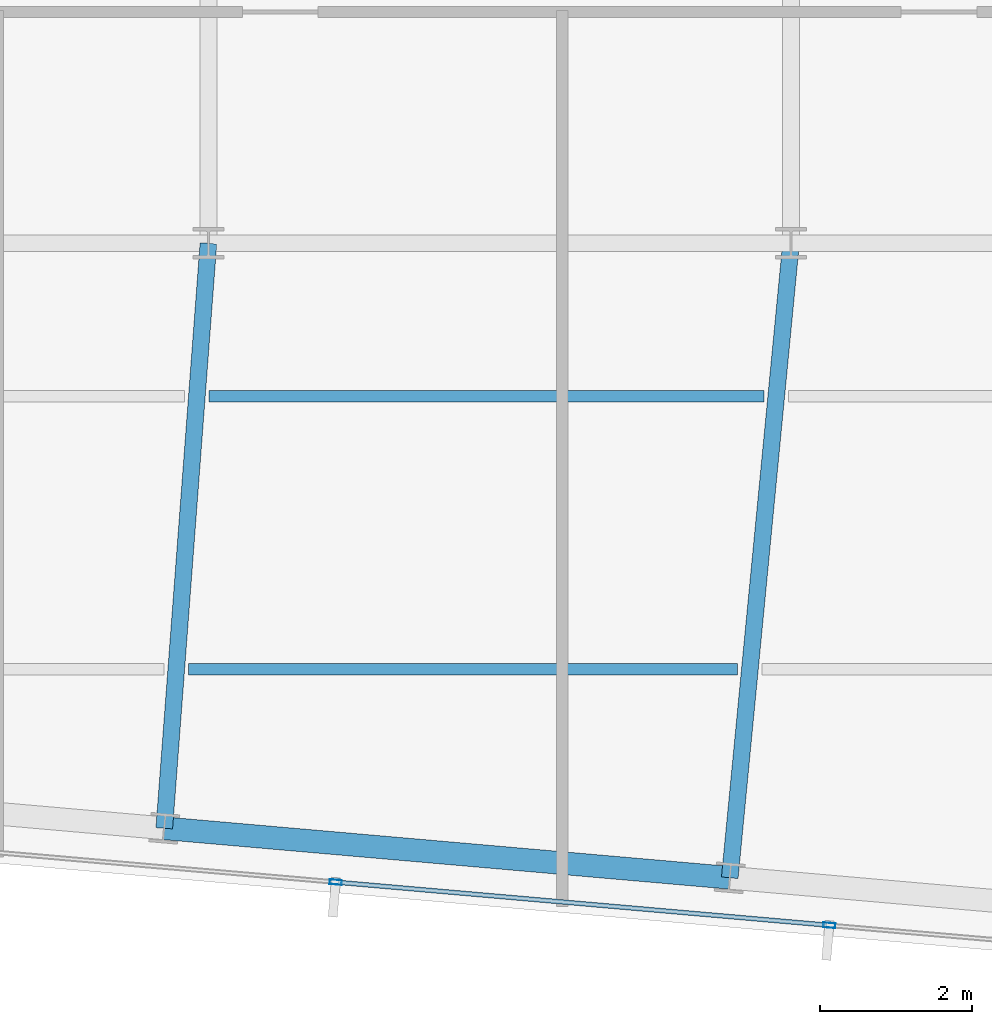
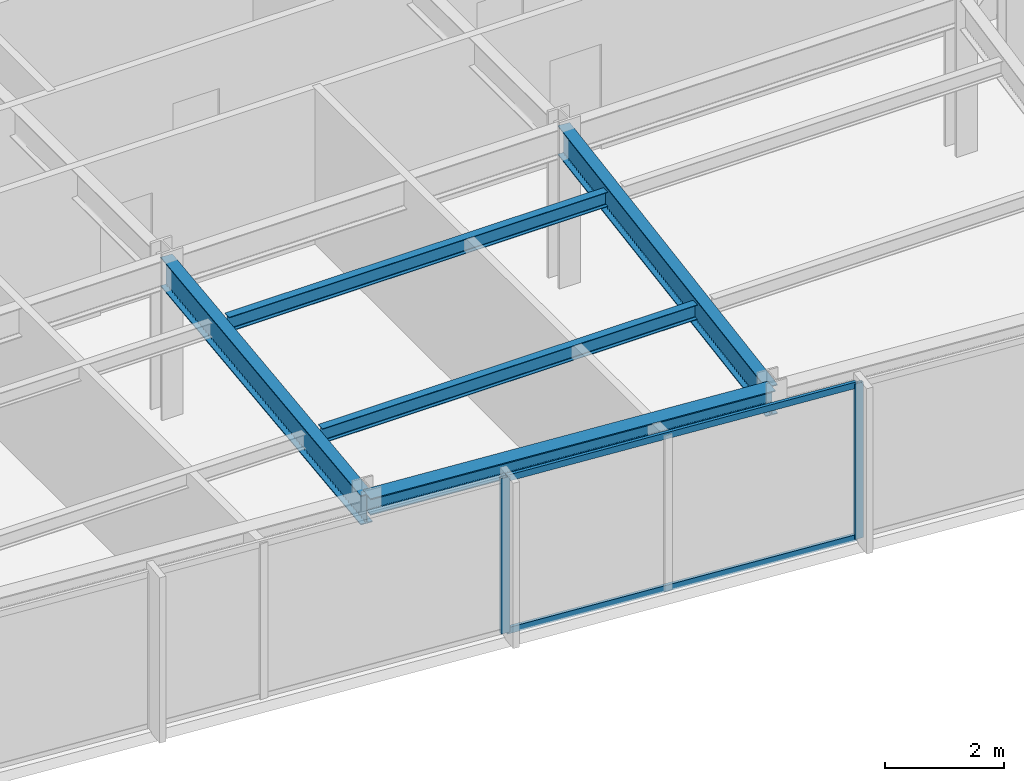
# One storey, part 13 of 32: 5 beams, 4 members, 1 element without a shape of its own.
"""IFC4 building model written with IfcOpenShell, lengths in metres."""

from ifc_helpers import new_model, si_unit, direction, frame, origin, origin_2d, place, context, subcontext, project, spatial, hollow_rectangle, i_section, extrude, material, material_profile, profile_set, type_object, element, aggregate, save


model = new_model("IFC4")

# Units and contexts
model_context = context("Model", 3, precision=1e-05, world=origin(), true_north=direction((0.0, 1.0)))
body_context = subcontext(model_context, "Body", "Model", "MODEL_VIEW")
ifc_project = project(units=[si_unit("LENGTHUNIT", "METRE"), si_unit("AREAUNIT", "SQUARE_METRE"), si_unit("VOLUMEUNIT", "CUBIC_METRE"), si_unit("PLANEANGLEUNIT", "RADIAN"), si_unit("MASSUNIT", "GRAM", prefix="KILO")], contexts=[model_context])

# Site, building, storey
site_placement = place(None, origin())
site = spatial("IfcSite", under=ifc_project, at=site_placement, CompositionType="ELEMENT")
building_placement = place(site_placement, origin())
building = spatial("IfcBuilding", under=site, at=building_placement, Name="Yelkora Congress Tower", CompositionType="ELEMENT")
storey_placement = place(building_placement, frame((0.0, 0.0, 269.300048828125)))
storey = spatial("IfcBuildingStorey", under=building, at=storey_placement, Name="L75", CompositionType="ELEMENT", Elevation=269.300048828125)

# Beams
ifc_material_1 = material(Name="Steel S355J2", Category="steel")
ifc_material_profile_1 = material_profile(ifc_material_1, i_section(OverallWidth=0.219970703125, OverallDepth=0.60009765625, WebThickness=0.011962890625, FlangeThickness=0.01904296875, FilletRadius=0.02392578125, at=origin_2d()), Name="IPE 600")
ifc_profile_set_1 = profile_set([ifc_material_profile_1], Name="Steel S355J2")
beam_type_1 = type_object("IfcBeamType", Name="BM-GIRD-IPE600", PredefinedType="BEAM", material=ifc_profile_set_1)
beam_1_placement = place(storey_placement, frame((37.8173828125, 17.489013671875, 2.8798828125), z_axis=(0.075329932006, 0.997158664077, 0.0), x_axis=(-0.997158664077, 0.075329932006, 0.0)))
element("IfcBeam", 1, at=beam_1_placement, inside=storey, type_object=beam_type_1, Name="L75 Primary Frame Girder S05", PredefinedType="BEAM", context=body_context, shape_type="SweptSolid", body=[
    extrude(i_section(OverallWidth=0.219970703125, OverallDepth=0.60009765625, WebThickness=0.011962890625, FlangeThickness=0.01904296875, FilletRadius=0.02392578125, at=origin_2d()), origin(), (0.0, 0.0, 1.0), 7.73291015625),
])
beam_2_placement = place(storey_placement, frame((45.2724609375, 16.836669921875, 2.8798828125), z_axis=(0.096119896563, 0.995369763196, 0.0), x_axis=(-0.995369763196, 0.096119896563, 0.0)))
element("IfcBeam", 2, at=beam_2_placement, inside=storey, type_object=beam_type_1, Name="L75 Primary Frame Girder S06", PredefinedType="BEAM", context=body_context, shape_type="SweptSolid", body=[
    extrude(i_section(OverallWidth=0.219970703125, OverallDepth=0.60009765625, WebThickness=0.011962890625, FlangeThickness=0.01904296875, FilletRadius=0.02392578125, at=origin_2d()), origin(), (0.0, 0.0, 1.0), 8.402099609375),
])
ifc_material_profile_2 = material_profile(ifc_material_1, i_section(OverallWidth=0.14990234375, OverallDepth=0.300048828125, WebThickness=0.007080078125, FlangeThickness=0.0107421875, FilletRadius=0.014892578125, at=origin_2d()), Name="IPE 300")
ifc_profile_set_2 = profile_set([ifc_material_profile_2], Name="Steel S355J2")
beam_type_2 = type_object("IfcBeamType", Name="BM-JOIST-IPE300", PredefinedType="JOIST", material=ifc_profile_set_2)
beam_3_placement = place(storey_placement, frame((38.1357421875, 19.58447265625, 3.030029296875), z_axis=(1.0, 0.0, 0.0), x_axis=(0.0, 1.0, 0.0)))
element("IfcBeam", 3, at=beam_3_placement, inside=storey, type_object=beam_type_2, Name="L75 Composite Floor Joist 3", PredefinedType="JOIST", context=body_context, shape_type="SweptSolid", body=[
    extrude(i_section(OverallWidth=0.14990234375, OverallDepth=0.300048828125, WebThickness=0.007080078125, FlangeThickness=0.0107421875, FilletRadius=0.014892578125, at=origin_2d()), origin(), (0.0, 0.0, 1.0), 7.241943359375),
])
beam_4_placement = place(storey_placement, frame((38.40771484375, 23.1845703125, 3.030029296875), z_axis=(1.0, 0.0, 0.0), x_axis=(0.0, 1.0, 0.0)))
element("IfcBeam", 4, at=beam_4_placement, inside=storey, type_object=beam_type_2, Name="L75 Composite Floor Joist 7", PredefinedType="JOIST", context=body_context, shape_type="SweptSolid", body=[
    extrude(i_section(OverallWidth=0.14990234375, OverallDepth=0.300048828125, WebThickness=0.007080078125, FlangeThickness=0.0107421875, FilletRadius=0.014892578125, at=origin_2d()), origin(), (0.0, 0.0, 1.0), 7.317626953125),
])
ifc_material_profile_3 = material_profile(ifc_material_1, i_section(OverallWidth=0.300048828125, OverallDepth=0.340087890625, WebThickness=0.011962890625, FlangeThickness=0.021484375, FilletRadius=0.027099609375, at=origin_2d()), Name="HEB 340")
ifc_profile_set_3 = profile_set([ifc_material_profile_3], Name="Steel S355J2")
beam_type_3 = type_object("IfcBeamType", Name="BM-SPAN-HEB340", PredefinedType="SPANDREL", material=ifc_profile_set_3)
beam_5_placement = place(storey_placement, frame((37.8173828125, 17.489013671875, 3.010009765625), z_axis=(0.996193434204, -0.08717018785, 0.0), x_axis=(0.08717018785, 0.996193434204, 0.0)))
element("IfcBeam", 5, at=beam_5_placement, inside=storey, type_object=beam_type_3, Name="L75 Perimeter Beam 5", PredefinedType="SPANDREL", context=body_context, shape_type="SweptSolid", body=[
    extrude(i_section(OverallWidth=0.300048828125, OverallDepth=0.340087890625, WebThickness=0.011962890625, FlangeThickness=0.021484375, FilletRadius=0.027099609375, at=origin_2d()), origin(), (0.0, 0.0, 1.0), 7.483642578125),
])

# Curtain wall, members
ifc_material_2 = material(Name="Anodised aluminium and insulated glass", Category="aluminium")
curtain_wall_type = type_object("IfcCurtainWallType", Name="CW-SYS-B5", PredefinedType="NOTDEFINED", material=ifc_material_2)
curtain_wall_placement = place(storey_placement, origin())
curtain_wall = element("IfcCurtainWall", 6, at=curtain_wall_placement, inside=storey, type_object=curtain_wall_type, Name="L75 Unitised Curtain Wall 20", PredefinedType="NOTDEFINED")
ifc_material_3 = material(Name="Anodised aluminium 6063-T6", Category="aluminium")
ifc_material_profile_4 = material_profile(ifc_material_3, hollow_rectangle(XDim=0.06494140625, YDim=0.159912109375, WallThickness=0.00390625, at=origin_2d()), Name="ALU 65x160x4")
ifc_profile_set_4 = profile_set([ifc_material_profile_4], Name="Anodised aluminium 6063-T6")
member_type_1 = type_object("IfcMemberType", Name="MEM-ML-B5", PredefinedType="MULLION", material=ifc_profile_set_4)
member_1_placement = place(storey_placement, frame((46.58447265625, 16.2099609375, 0.0), z_axis=(0.0, 0.0, 1.0), x_axis=(-0.087156829793, -0.996194602987, 0.0)))
member_1 = element("IfcMember", 7, at=member_1_placement, type_object=member_type_1, Name="CW-B5 mullion 2", PredefinedType="MULLION", context=body_context, shape_type="SweptSolid", body=[
    extrude(hollow_rectangle(XDim=0.06494140625, YDim=0.159912109375, WallThickness=0.00390625, at=origin_2d()), origin(), (0.0, 0.0, 1.0), 3.179931640625),
])
member_2_placement = place(storey_placement, frame((40.077880859375, 16.779296875, 0.0), z_axis=(0.0, 0.0, 1.0), x_axis=(-0.087156829793, -0.996194602987, 0.0)))
member_2 = element("IfcMember", 8, at=member_2_placement, type_object=member_type_1, Name="CW-B5 mullion 3", PredefinedType="MULLION", context=body_context, shape_type="SweptSolid", body=[
    extrude(hollow_rectangle(XDim=0.06494140625, YDim=0.159912109375, WallThickness=0.00390625, at=origin_2d()), origin(), (0.0, 0.0, 1.0), 3.179931640625),
])
ifc_material_profile_5 = material_profile(ifc_material_3, hollow_rectangle(XDim=0.06005859375, YDim=0.1298828125, WallThickness=0.00390625, at=origin_2d()), Name="ALU 60x130x4")
ifc_profile_set_5 = profile_set([ifc_material_profile_5], Name="Anodised aluminium 6063-T6")
member_type_2 = type_object("IfcMemberType", Name="MEM-TR-B5", PredefinedType="USERDEFINED", material=ifc_profile_set_5)
member_3_placement = place(storey_placement, frame((46.55224609375, 16.212890625, 0.030029296875), z_axis=(-0.996196257862, 0.087137912649, 0.0), x_axis=(-0.087137912649, -0.996196257862, 0.0)))
member_3 = element("IfcMember", 9, at=member_3_placement, type_object=member_type_2, Name="CW-B5 transom 2.1", ObjectType="TRANSOM", PredefinedType="USERDEFINED", context=body_context, shape_type="SweptSolid", body=[
    extrude(hollow_rectangle(XDim=0.06005859375, YDim=0.1298828125, WallThickness=0.00390625, at=origin_2d()), origin(), (0.0, 0.0, 1.0), 6.466552734375),
])
member_4_placement = place(storey_placement, frame((46.55224609375, 16.212890625, 3.14990234375), z_axis=(-0.996196257862, 0.087137912649, 0.0), x_axis=(-0.087137912649, -0.996196257862, 0.0)))
member_4 = element("IfcMember", 10, at=member_4_placement, type_object=member_type_2, Name="CW-B5 transom 2.2", ObjectType="TRANSOM", PredefinedType="USERDEFINED", context=body_context, shape_type="SweptSolid", body=[
    extrude(hollow_rectangle(XDim=0.06005859375, YDim=0.1298828125, WallThickness=0.00390625, at=origin_2d()), origin(), (0.0, 0.0, 1.0), 6.466552734375),
])
aggregate(curtain_wall, [member_1, member_2, member_3, member_4])

save(model, "model.ifc")
